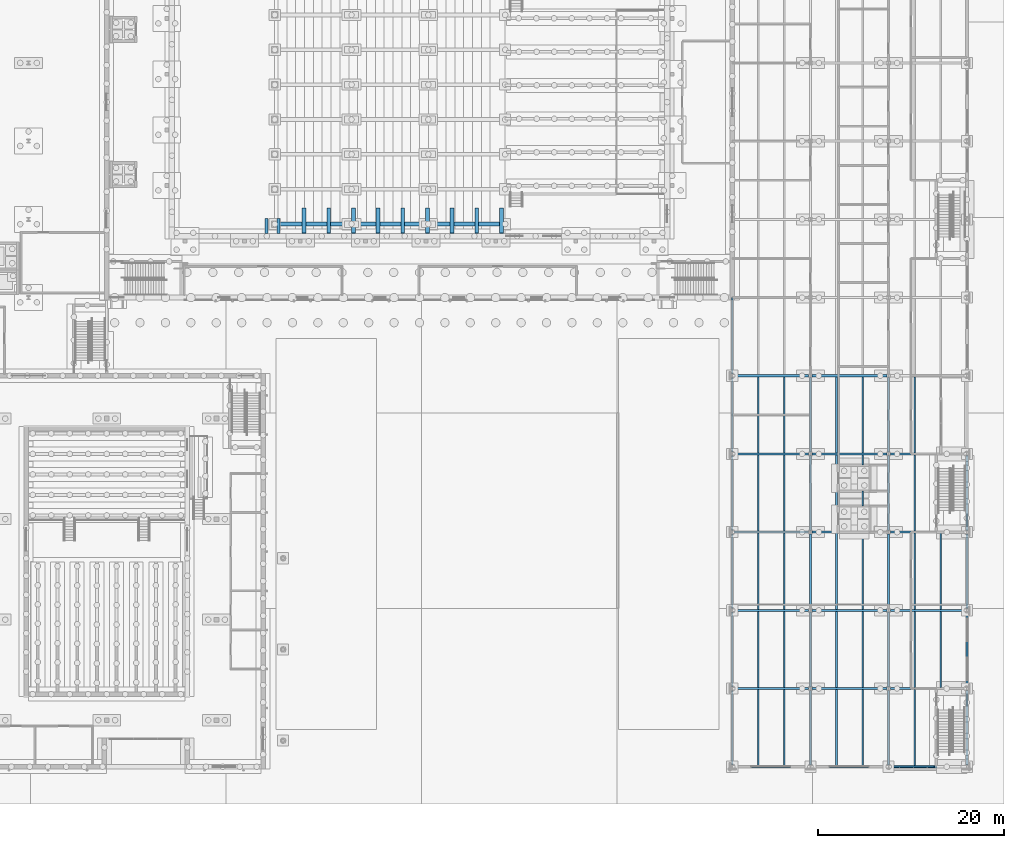
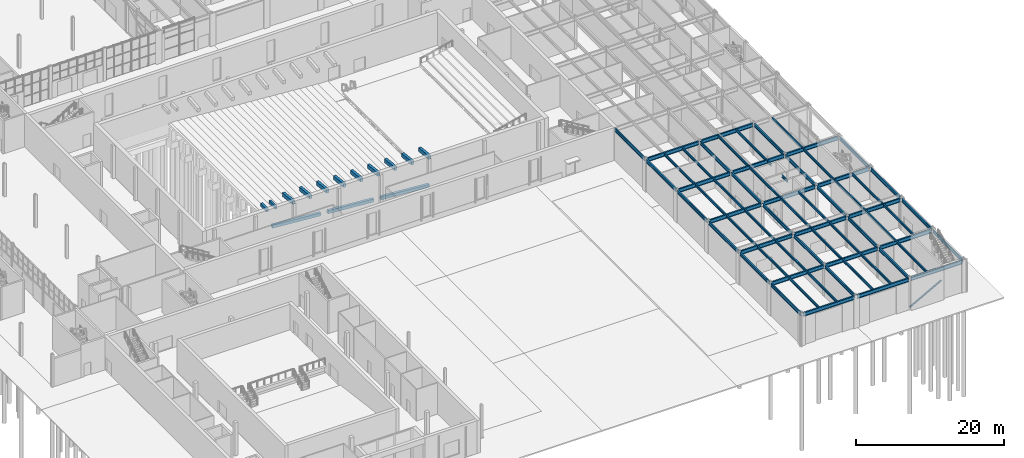
# One storey, part 33 of 127: 79 beams, 1 member.
"""IFC4 building model written with IfcOpenShell, lengths in metres."""

from ifc_helpers import new_model, si_unit, direction, frame, origin, origin_2d, place, context, subcontext, project, spatial, rectangle, hollow_rectangle, i_section, extrude, material, material_profile, profile_set, type_object, element, save


model = new_model("IFC4")

# Units and contexts
model_context = context("Model", 3, precision=1e-05, world=origin(), true_north=direction((0.0, 1.0)))
body_context = subcontext(model_context, "Body", "Model", "MODEL_VIEW")
ifc_project = project(units=[si_unit("LENGTHUNIT", "METRE"), si_unit("AREAUNIT", "SQUARE_METRE"), si_unit("VOLUMEUNIT", "CUBIC_METRE"), si_unit("PLANEANGLEUNIT", "RADIAN"), si_unit("MASSUNIT", "GRAM", prefix="KILO")], contexts=[model_context])

# Site, building, storey
site_placement = place(None, origin())
site = spatial("IfcSite", under=ifc_project, at=site_placement, CompositionType="ELEMENT")
building_placement = place(site_placement, origin())
building = spatial("IfcBuilding", under=site, at=building_placement, Name="Ljudholm Concert House", CompositionType="ELEMENT")
storey_placement = place(building_placement, origin())
storey = spatial("IfcBuildingStorey", under=building, at=storey_placement, Name="L00", CompositionType="ELEMENT", Elevation=0.0)

# Beams
ifc_material_1 = material(Name="Concrete 6,500 psi", Category="concrete")
ifc_material_profile_1 = material_profile(ifc_material_1, rectangle(XDim=0.300048828125, YDim=0.5, at=origin_2d()), Name="RC BEAM 300x500 BEAM")
ifc_profile_set_1 = profile_set([ifc_material_profile_1], Name="Concrete 6,500 psi")
beam_type_1 = type_object("IfcBeamType", Name="RC BEAM 300x500 BEAM", PredefinedType="BEAM", material=ifc_profile_set_1)
for number, where, z_axis, x_axis, name in (
    (1, (46.35009765625, 61.300048828125, 4.89990234375), (0.0, 1.0, 0.0), (-1.0, 0.0, 0.0), "Landing bracket beam"),
    (2, (47.64990234375, 61.300048828125, 4.89990234375), (0.0, 1.0, 0.0), (-1.0, 0.0, 0.0), "Landing bracket beam"),
):
    element("IfcBeam", number, at=place(storey_placement, frame(where, z_axis=z_axis, x_axis=x_axis)), inside=storey, type_object=beam_type_1, Name=name, PredefinedType="BEAM", context=body_context, shape_type="SweptSolid", body=[
        extrude(rectangle(XDim=0.300048828125, YDim=0.5, at=origin_2d()), origin(), (0.0, 0.0, 1.0), 1.599853515625),
    ])
ifc_material_2 = material(Name="Concrete 6,500 psi", Category="concrete")
ifc_material_profile_2 = material_profile(ifc_material_2, rectangle(XDim=0.39990234375, YDim=0.5, at=origin_2d()), Name="RC BEAM 400x500 BEAM")
ifc_profile_set_2 = profile_set([ifc_material_profile_2], Name="Concrete 6,500 psi")
beam_type_2 = type_object("IfcBeamType", Name="RC BEAM 400x500 BEAM", PredefinedType="BEAM", material=ifc_profile_set_2)
beam_1_placement = place(storey_placement, frame((47.60009765625, 62.300048828125, 1.25), z_axis=(0.997116400564, 0.0, -0.075887309392), x_axis=(0.0, 1.0, 0.0)))
element("IfcBeam", 3, at=beam_1_placement, inside=storey, type_object=beam_type_2, Name="Ground beam", PredefinedType="BEAM", context=body_context, shape_type="SweptSolid", body=[
    extrude(rectangle(XDim=0.39990234375, YDim=0.5, at=origin_2d()), origin(), (0.0, 0.0, 1.0), 7.521728515625),
])
beam_2_placement = place(storey_placement, frame((56.25, 62.300048828125, 0.620849609375), z_axis=(0.997101690302, 0.0, -0.076080346977), x_axis=(0.0, 1.0, 0.0)))
element("IfcBeam", 4, at=beam_2_placement, inside=storey, type_object=beam_type_2, Name="Ground beam", PredefinedType="BEAM", context=body_context, shape_type="SweptSolid", body=[
    extrude(rectangle(XDim=0.39990234375, YDim=0.5, at=origin_2d()), origin(), (0.0, 0.0, 1.0), 7.120849609375),
])
beam_3_placement = place(storey_placement, frame((64.5, 62.300048828125, 0.02099609375), z_axis=(0.997113943984, 0.0, -0.075919580566), x_axis=(0.0, 1.0, 0.0)))
element("IfcBeam", 5, at=beam_3_placement, inside=storey, type_object=beam_type_2, Name="Ground beam", PredefinedType="BEAM", context=body_context, shape_type="SweptSolid", body=[
    extrude(rectangle(XDim=0.39990234375, YDim=0.5, at=origin_2d()), origin(), (0.0, 0.0, 1.0), 7.521728515625),
])
ifc_material_3 = material(Name="Concrete 6,500 psi", Category="concrete")
ifc_material_profile_3 = material_profile(ifc_material_3, rectangle(XDim=0.39990234375, YDim=0.60009765625, at=origin_2d()), Name="RC BEAM 400x600 BEAM")
ifc_profile_set_3 = profile_set([ifc_material_profile_3], Name="Concrete 6,500 psi")
beam_type_3 = type_object("IfcBeamType", Name="RC BEAM 400x600 BEAM", PredefinedType="BEAM", material=ifc_profile_set_3)
for number, where, z_axis, x_axis, name in (
    (6, (50.39990234375, 61.300048828125, 4.800048828125), (0.0, 0.993881542506, -0.110451253797), (-1.0, 0.0, 0.0), "Gallery bracket beam"),
    (7, (53.050048828125, 61.300048828125, 4.800048828125), (0.0, 0.993881542506, -0.110451253797), (-1.0, 0.0, 0.0), "Gallery bracket beam"),
    (8, (55.699951171875, 61.300048828125, 4.800048828125), (0.0, 0.993881542506, -0.110451253797), (-1.0, 0.0, 0.0), "Gallery bracket beam"),
    (9, (58.35009765625, 61.300048828125, 4.800048828125), (0.0, 0.993881542506, -0.110451253797), (-1.0, 0.0, 0.0), "Gallery bracket beam"),
    (10, (61.0, 61.300048828125, 4.800048828125), (0.0, 0.993881542506, -0.110451253797), (-1.0, 0.0, 0.0), "Gallery bracket beam"),
    (11, (63.64990234375, 61.300048828125, 4.800048828125), (0.0, 0.993881542506, -0.110451253797), (-1.0, 0.0, 0.0), "Gallery bracket beam"),
    (12, (66.300048828125, 61.300048828125, 4.800048828125), (0.0, 0.993881542506, -0.110451253797), (-1.0, 0.0, 0.0), "Gallery bracket beam"),
    (13, (68.949951171875, 61.300048828125, 4.800048828125), (0.0, 0.993881542506, -0.110451253797), (-1.0, 0.0, 0.0), "Gallery bracket beam"),
    (14, (71.60009765625, 61.300048828125, 4.800048828125), (0.0, 0.993881542506, -0.110451253797), (-1.0, 0.0, 0.0), "Gallery bracket beam"),
):
    element("IfcBeam", number, at=place(storey_placement, frame(where, z_axis=z_axis, x_axis=x_axis)), inside=storey, type_object=beam_type_3, Name=name, PredefinedType="BEAM", context=body_context, shape_type="SweptSolid", body=[
        extrude(rectangle(XDim=0.39990234375, YDim=0.60009765625, at=origin_2d()), origin(), (0.0, 0.0, 1.0), 2.716552734375),
    ])
ifc_material_4 = material(Name="Steel ASTM A992", Category="steel")
ifc_material_profile_4 = material_profile(ifc_material_4, i_section(OverallWidth=0.177734375, OverallDepth=0.406494140625, WebThickness=0.0078125, FlangeThickness=0.012939453125, FilletRadius=0.01025390625, at=origin_2d()), Name="W16X40")
ifc_profile_set_4 = profile_set([ifc_material_profile_4], Name="Steel ASTM A992")
beam_type_4 = type_object("IfcBeamType", Name="STEEL BEAM W16X40", PredefinedType="BEAM", material=ifc_profile_set_4)
for number, where, z_axis, x_axis, name in (
    (15, (99.199951171875, 4.114501953125, 5.016845703125), (0.0, 1.0, 0.0), (-1.0, 0.0, 0.0), "Beam BOH-L01-sb-99.2-4"),
    (16, (102.0, 4.114501953125, 5.016845703125), (0.0, 1.0, 0.0), (-1.0, 0.0, 0.0), "Beam BOH-L01-sb-102-4"),
    (17, (99.199951171875, 12.5146484375, 5.016845703125), (0.0, 1.0, 0.0), (-1.0, 0.0, 0.0), "Beam BOH-L01-sb-99.2-12.4"),
    (18, (102.0, 12.5146484375, 5.016845703125), (0.0, 1.0, 0.0), (-1.0, 0.0, 0.0), "Beam BOH-L01-sb-102-12.4"),
    (19, (99.199951171875, 20.91455078125, 5.016845703125), (0.0, 1.0, 0.0), (-1.0, 0.0, 0.0), "Beam BOH-L01-sb-99.2-20.8"),
    (20, (102.0, 20.91455078125, 5.016845703125), (0.0, 1.0, 0.0), (-1.0, 0.0, 0.0), "Beam BOH-L01-sb-102-20.8"),
    (21, (99.199951171875, 29.314453125, 5.016845703125), (0.0, 1.0, 0.0), (-1.0, 0.0, 0.0), "Beam BOH-L01-sb-99.2-29.2"),
    (22, (102.0, 29.314453125, 5.016845703125), (0.0, 1.0, 0.0), (-1.0, 0.0, 0.0), "Beam BOH-L01-sb-102-29.2"),
    (23, (99.199951171875, 37.714599609375, 5.016845703125), (0.0, 1.0, 0.0), (-1.0, 0.0, 0.0), "Beam BOH-L01-sb-99.2-37.6"),
    (24, (102.0, 37.714599609375, 5.016845703125), (0.0, 1.0, 0.0), (-1.0, 0.0, 0.0), "Beam BOH-L01-sb-102-37.6"),
    (25, (107.60009765625, 4.114501953125, 5.016845703125), (0.0, 1.0, 0.0), (-1.0, 0.0, 0.0), "Beam BOH-L01-sb-107.6-4"),
    (26, (110.39990234375, 4.114501953125, 5.016845703125), (0.0, 1.0, 0.0), (-1.0, 0.0, 0.0), "Beam BOH-L01-sb-110.4-4"),
    (27, (107.60009765625, 12.5146484375, 5.016845703125), (0.0, 1.0, 0.0), (-1.0, 0.0, 0.0), "Beam BOH-L01-sb-107.6-12.4"),
    (28, (110.39990234375, 12.5146484375, 5.016845703125), (0.0, 1.0, 0.0), (-1.0, 0.0, 0.0), "Beam BOH-L01-sb-110.4-12.4"),
    (29, (107.60009765625, 20.91455078125, 5.016845703125), (0.0, 1.0, 0.0), (-1.0, 0.0, 0.0), "Beam BOH-L01-sb-107.6-20.8"),
    (30, (110.39990234375, 20.91455078125, 5.016845703125), (0.0, 1.0, 0.0), (-1.0, 0.0, 0.0), "Beam BOH-L01-sb-110.4-20.8"),
    (31, (107.60009765625, 29.314453125, 5.016845703125), (0.0, 1.0, 0.0), (-1.0, 0.0, 0.0), "Beam BOH-L01-sb-107.6-29.2"),
):
    element("IfcBeam", number, at=place(storey_placement, frame(where, z_axis=z_axis, x_axis=x_axis)), inside=storey, type_object=beam_type_4, Name=name, PredefinedType="BEAM", context=body_context, shape_type="SweptSolid", body=[
        extrude(i_section(OverallWidth=0.177734375, OverallDepth=0.406494140625, WebThickness=0.0078125, FlangeThickness=0.012939453125, FilletRadius=0.01025390625, at=origin_2d()), origin(), (0.0, 0.0, 1.0), 8.1708984375),
    ])
beam_4_placement = place(storey_placement, frame((110.39990234375, 32.0, 5.016845703125), z_axis=(0.0, 1.0, 0.0), x_axis=(-1.0, 0.0, 0.0)))
element("IfcBeam", 32, at=beam_4_placement, inside=storey, type_object=beam_type_4, Name="Beam BOH-L01-sb-110.4-29.2-1", PredefinedType="BEAM", context=body_context, shape_type="SweptSolid", body=[
    extrude(i_section(OverallWidth=0.177734375, OverallDepth=0.406494140625, WebThickness=0.0078125, FlangeThickness=0.012939453125, FilletRadius=0.01025390625, at=origin_2d()), origin(), (0.0, 0.0, 1.0), 1.60009765625),
])
beam_5_placement = place(storey_placement, frame((110.39990234375, 36.39990234375, 5.016845703125), z_axis=(0.0, 1.0, 0.0), x_axis=(-1.0, 0.0, 0.0)))
element("IfcBeam", 33, at=beam_5_placement, inside=storey, type_object=beam_type_4, Name="Beam BOH-L01-sb-110.4-29.2-2", PredefinedType="BEAM", context=body_context, shape_type="SweptSolid", body=[
    extrude(i_section(OverallWidth=0.177734375, OverallDepth=0.406494140625, WebThickness=0.0078125, FlangeThickness=0.012939453125, FilletRadius=0.01025390625, at=origin_2d()), origin(), (0.0, 0.0, 1.0), 1.08544921875),
])
for number, where, z_axis, x_axis, name in (
    (34, (107.60009765625, 37.714599609375, 5.016845703125), (0.0, 1.0, 0.0), (-1.0, 0.0, 0.0), "Beam BOH-L01-sb-107.6-37.6"),
    (35, (110.39990234375, 37.714599609375, 5.016845703125), (0.0, 1.0, 0.0), (-1.0, 0.0, 0.0), "Beam BOH-L01-sb-110.4-37.6"),
    (36, (116.0, 4.114501953125, 5.016845703125), (0.0, 1.0, 0.0), (-1.0, 0.0, 0.0), "Beam BOH-L01-sb-116-4"),
    (37, (116.0, 12.5146484375, 5.016845703125), (0.0, 1.0, 0.0), (-1.0, 0.0, 0.0), "Beam BOH-L01-sb-116-12.4"),
    (38, (118.800048828125, 12.5146484375, 5.016845703125), (0.0, 1.0, 0.0), (-1.0, 0.0, 0.0), "Beam BOH-L01-sb-118.8-12.4"),
    (39, (116.0, 20.91455078125, 5.016845703125), (0.0, 1.0, 0.0), (-1.0, 0.0, 0.0), "Beam BOH-L01-sb-116-20.8"),
    (40, (118.800048828125, 20.91455078125, 5.016845703125), (0.0, 1.0, 0.0), (-1.0, 0.0, 0.0), "Beam BOH-L01-sb-118.8-20.8"),
    (41, (116.0, 29.314453125, 5.016845703125), (0.0, 1.0, 0.0), (-1.0, 0.0, 0.0), "Beam BOH-L01-sb-116-29.2"),
    (42, (116.0, 37.714599609375, 5.016845703125), (0.0, 1.0, 0.0), (-1.0, 0.0, 0.0), "Beam BOH-L01-sb-116-37.6"),
):
    element("IfcBeam", number, at=place(storey_placement, frame(where, z_axis=z_axis, x_axis=x_axis)), inside=storey, type_object=beam_type_4, Name=name, PredefinedType="BEAM", context=body_context, shape_type="SweptSolid", body=[
        extrude(i_section(OverallWidth=0.177734375, OverallDepth=0.406494140625, WebThickness=0.0078125, FlangeThickness=0.012939453125, FilletRadius=0.01025390625, at=origin_2d()), origin(), (0.0, 0.0, 1.0), 8.1708984375),
    ])
ifc_material_5 = material(Name="Steel ASTM A992", Category="steel")
ifc_material_profile_5 = material_profile(ifc_material_5, i_section(OverallWidth=0.209228515625, OverallDepth=0.533447265625, WebThickness=0.01025390625, FlangeThickness=0.015625, FilletRadius=0.012939453125, at=origin_2d()), Name="W21X62")
ifc_profile_set_5 = profile_set([ifc_material_profile_5], Name="Steel ASTM A992")
beam_type_5 = type_object("IfcBeamType", Name="STEEL BEAM W21X62", PredefinedType="BEAM", material=ifc_profile_set_5)
for number, where, z_axis, x_axis, name in (
    (43, (96.39990234375, 4.186767578125, 4.953369140625), (0.0, 1.0, 0.0), (-1.0, 0.0, 0.0), "Beam BOH-L01-gy-96.4-4"),
    (44, (96.39990234375, 12.586669921875, 4.953369140625), (0.0, 1.0, 0.0), (-1.0, 0.0, 0.0), "Beam BOH-L01-gy-96.4-12.4"),
):
    element("IfcBeam", number, at=place(storey_placement, frame(where, z_axis=z_axis, x_axis=x_axis)), inside=storey, type_object=beam_type_5, Name=name, PredefinedType="BEAM", context=body_context, shape_type="SweptSolid", body=[
        extrude(i_section(OverallWidth=0.209228515625, OverallDepth=0.533447265625, WebThickness=0.01025390625, FlangeThickness=0.015625, FilletRadius=0.012939453125, at=origin_2d()), origin(), (0.0, 0.0, 1.0), 8.026611328125),
    ])
beam_6_placement = place(storey_placement, frame((96.39990234375, 20.986572265625, 4.953369140625), z_axis=(0.0, 1.0, 0.0), x_axis=(-1.0, 0.0, 0.0)))
element("IfcBeam", 45, at=beam_6_placement, inside=storey, type_object=beam_type_5, Name="Beam BOH-L01-gy-96.4-20.8", PredefinedType="BEAM", context=body_context, shape_type="SweptSolid", body=[
    extrude(i_section(OverallWidth=0.209228515625, OverallDepth=0.533447265625, WebThickness=0.01025390625, FlangeThickness=0.015625, FilletRadius=0.012939453125, at=origin_2d()), origin(), (0.0, 0.0, 1.0), 8.02685546875),
])
for number, where, z_axis, x_axis, name in (
    (46, (96.39990234375, 29.38671875, 4.953369140625), (0.0, 1.0, 0.0), (-1.0, 0.0, 0.0), "Beam BOH-L01-gy-96.4-29.2"),
    (47, (96.39990234375, 37.78662109375, 4.953369140625), (0.0, 1.0, 0.0), (-1.0, 0.0, 0.0), "Beam BOH-L01-gy-96.4-37.6"),
):
    element("IfcBeam", number, at=place(storey_placement, frame(where, z_axis=z_axis, x_axis=x_axis)), inside=storey, type_object=beam_type_5, Name=name, PredefinedType="BEAM", context=body_context, shape_type="SweptSolid", body=[
        extrude(i_section(OverallWidth=0.209228515625, OverallDepth=0.533447265625, WebThickness=0.01025390625, FlangeThickness=0.015625, FilletRadius=0.012939453125, at=origin_2d()), origin(), (0.0, 0.0, 1.0), 8.026611328125),
    ])
beam_7_placement = place(storey_placement, frame((96.39990234375, 46.186767578125, 4.953369140625), z_axis=(0.0, 1.0, 0.0), x_axis=(-1.0, 0.0, 0.0)))
element("IfcBeam", 48, at=beam_7_placement, inside=storey, type_object=beam_type_5, Name="Beam BOH-L01-gy-96.4-46", PredefinedType="BEAM", context=body_context, shape_type="SweptSolid", body=[
    extrude(i_section(OverallWidth=0.209228515625, OverallDepth=0.533447265625, WebThickness=0.01025390625, FlangeThickness=0.015625, FilletRadius=0.012939453125, at=origin_2d()), origin(), (0.0, 0.0, 1.0), 8.213134765625),
])
for number, where, z_axis, x_axis, name in (
    (49, (104.800048828125, 4.186767578125, 4.953369140625), (0.0, 1.0, 0.0), (-1.0, 0.0, 0.0), "Beam BOH-L01-gy-104.8-4"),
    (50, (104.800048828125, 12.586669921875, 4.953369140625), (0.0, 1.0, 0.0), (-1.0, 0.0, 0.0), "Beam BOH-L01-gy-104.8-12.4"),
):
    element("IfcBeam", number, at=place(storey_placement, frame(where, z_axis=z_axis, x_axis=x_axis)), inside=storey, type_object=beam_type_5, Name=name, PredefinedType="BEAM", context=body_context, shape_type="SweptSolid", body=[
        extrude(i_section(OverallWidth=0.209228515625, OverallDepth=0.533447265625, WebThickness=0.01025390625, FlangeThickness=0.015625, FilletRadius=0.012939453125, at=origin_2d()), origin(), (0.0, 0.0, 1.0), 8.026611328125),
    ])
beam_8_placement = place(storey_placement, frame((104.800048828125, 20.986572265625, 4.953369140625), z_axis=(0.0, 1.0, 0.0), x_axis=(-1.0, 0.0, 0.0)))
element("IfcBeam", 51, at=beam_8_placement, inside=storey, type_object=beam_type_5, Name="Beam BOH-L01-gy-104.8-20.8", PredefinedType="BEAM", context=body_context, shape_type="SweptSolid", body=[
    extrude(i_section(OverallWidth=0.209228515625, OverallDepth=0.533447265625, WebThickness=0.01025390625, FlangeThickness=0.015625, FilletRadius=0.012939453125, at=origin_2d()), origin(), (0.0, 0.0, 1.0), 8.02685546875),
])
for number, where, z_axis, x_axis, name in (
    (52, (104.800048828125, 29.38671875, 4.953369140625), (0.0, 1.0, 0.0), (-1.0, 0.0, 0.0), "Beam BOH-L01-gy-104.8-29.2"),
    (53, (104.800048828125, 37.78662109375, 4.953369140625), (0.0, 1.0, 0.0), (-1.0, 0.0, 0.0), "Beam BOH-L01-gy-104.8-37.6"),
    (54, (113.199951171875, 4.186767578125, 4.953369140625), (0.0, 1.0, 0.0), (-1.0, 0.0, 0.0), "Beam BOH-L01-gy-113.2-4"),
    (55, (113.199951171875, 12.586669921875, 4.953369140625), (0.0, 1.0, 0.0), (-1.0, 0.0, 0.0), "Beam BOH-L01-gy-113.2-12.4"),
):
    element("IfcBeam", number, at=place(storey_placement, frame(where, z_axis=z_axis, x_axis=x_axis)), inside=storey, type_object=beam_type_5, Name=name, PredefinedType="BEAM", context=body_context, shape_type="SweptSolid", body=[
        extrude(i_section(OverallWidth=0.209228515625, OverallDepth=0.533447265625, WebThickness=0.01025390625, FlangeThickness=0.015625, FilletRadius=0.012939453125, at=origin_2d()), origin(), (0.0, 0.0, 1.0), 8.026611328125),
    ])
beam_9_placement = place(storey_placement, frame((113.199951171875, 20.986572265625, 4.953369140625), z_axis=(0.0, 1.0, 0.0), x_axis=(-1.0, 0.0, 0.0)))
element("IfcBeam", 56, at=beam_9_placement, inside=storey, type_object=beam_type_5, Name="Beam BOH-L01-gy-113.2-20.8", PredefinedType="BEAM", context=body_context, shape_type="SweptSolid", body=[
    extrude(i_section(OverallWidth=0.209228515625, OverallDepth=0.533447265625, WebThickness=0.01025390625, FlangeThickness=0.015625, FilletRadius=0.012939453125, at=origin_2d()), origin(), (0.0, 0.0, 1.0), 8.02685546875),
])
for number, where, z_axis, x_axis, name in (
    (57, (113.199951171875, 29.38671875, 4.953369140625), (0.0, 1.0, 0.0), (-1.0, 0.0, 0.0), "Beam BOH-L01-gy-113.2-29.2"),
    (58, (113.199951171875, 37.78662109375, 4.953369140625), (0.0, 1.0, 0.0), (-1.0, 0.0, 0.0), "Beam BOH-L01-gy-113.2-37.6"),
    (59, (121.60009765625, 4.186767578125, 4.953369140625), (0.0, 1.0, 0.0), (-1.0, 0.0, 0.0), "Beam BOH-L01-gy-121.6-4"),
    (60, (121.60009765625, 12.586669921875, 4.953369140625), (0.0, 1.0, 0.0), (-1.0, 0.0, 0.0), "Beam BOH-L01-gy-121.6-12.4"),
):
    element("IfcBeam", number, at=place(storey_placement, frame(where, z_axis=z_axis, x_axis=x_axis)), inside=storey, type_object=beam_type_5, Name=name, PredefinedType="BEAM", context=body_context, shape_type="SweptSolid", body=[
        extrude(i_section(OverallWidth=0.209228515625, OverallDepth=0.533447265625, WebThickness=0.01025390625, FlangeThickness=0.015625, FilletRadius=0.012939453125, at=origin_2d()), origin(), (0.0, 0.0, 1.0), 8.026611328125),
    ])
beam_10_placement = place(storey_placement, frame((121.60009765625, 20.986572265625, 4.953369140625), z_axis=(0.0, 1.0, 0.0), x_axis=(-1.0, 0.0, 0.0)))
element("IfcBeam", 61, at=beam_10_placement, inside=storey, type_object=beam_type_5, Name="Beam BOH-L01-gy-121.6-20.8", PredefinedType="BEAM", context=body_context, shape_type="SweptSolid", body=[
    extrude(i_section(OverallWidth=0.209228515625, OverallDepth=0.533447265625, WebThickness=0.01025390625, FlangeThickness=0.015625, FilletRadius=0.012939453125, at=origin_2d()), origin(), (0.0, 0.0, 1.0), 8.02685546875),
])
beam_11_placement = place(storey_placement, frame((121.60009765625, 29.38671875, 4.953369140625), z_axis=(0.0, 1.0, 0.0), x_axis=(-1.0, 0.0, 0.0)))
element("IfcBeam", 62, at=beam_11_placement, inside=storey, type_object=beam_type_5, Name="Beam BOH-L01-gy-121.6-29.2", PredefinedType="BEAM", context=body_context, shape_type="SweptSolid", body=[
    extrude(i_section(OverallWidth=0.209228515625, OverallDepth=0.533447265625, WebThickness=0.01025390625, FlangeThickness=0.015625, FilletRadius=0.012939453125, at=origin_2d()), origin(), (0.0, 0.0, 1.0), 8.026611328125),
])
ifc_material_6 = material(Name="Steel ASTM A992", Category="steel")
ifc_material_profile_6 = material_profile(ifc_material_6, i_section(OverallWidth=0.22900390625, OverallDepth=0.612060546875, WebThickness=0.011962890625, FlangeThickness=0.01953125, FilletRadius=0.0126953125, at=origin_2d()), Name="W24X84")
ifc_profile_set_6 = profile_set([ifc_material_profile_6], Name="Steel ASTM A992")
beam_type_6 = type_object("IfcBeamType", Name="STEEL BEAM W24X84", PredefinedType="BEAM", material=ifc_profile_set_6)
beam_12_placement = place(storey_placement, frame((96.586669921875, 4.0, 4.913818359375), z_axis=(1.0, 0.0, 0.0), x_axis=(0.0, 1.0, 0.0)))
element("IfcBeam", 63, at=beam_12_placement, inside=storey, type_object=beam_type_6, Name="Beam BOH-L01-gx-96.4-4", PredefinedType="BEAM", context=body_context, shape_type="SweptSolid", body=[
    extrude(i_section(OverallWidth=0.22900390625, OverallDepth=0.612060546875, WebThickness=0.011962890625, FlangeThickness=0.01953125, FilletRadius=0.0126953125, at=origin_2d()), origin(), (0.0, 0.0, 1.0), 8.026611328125),
])
beam_13_placement = place(storey_placement, frame((104.986572265625, 4.0, 4.913818359375), z_axis=(1.0, 0.0, 0.0), x_axis=(0.0, 1.0, 0.0)))
element("IfcBeam", 64, at=beam_13_placement, inside=storey, type_object=beam_type_6, Name="Beam BOH-L01-gx-104.8-4", PredefinedType="BEAM", context=body_context, shape_type="SweptSolid", body=[
    extrude(i_section(OverallWidth=0.22900390625, OverallDepth=0.612060546875, WebThickness=0.011962890625, FlangeThickness=0.01953125, FilletRadius=0.0126953125, at=origin_2d()), origin(), (0.0, 0.0, 1.0), 8.02685546875),
])
for number, where, z_axis, x_axis, name in (
    (65, (113.38671875, 4.0, 4.913818359375), (1.0, 0.0, 0.0), (0.0, 1.0, 0.0), "Beam BOH-L01-gx-113.2-4"),
    (66, (96.586669921875, 12.39990234375, 4.913818359375), (1.0, 0.0, 0.0), (0.0, 1.0, 0.0), "Beam BOH-L01-gx-96.4-12.4"),
):
    element("IfcBeam", number, at=place(storey_placement, frame(where, z_axis=z_axis, x_axis=x_axis)), inside=storey, type_object=beam_type_6, Name=name, PredefinedType="BEAM", context=body_context, shape_type="SweptSolid", body=[
        extrude(i_section(OverallWidth=0.22900390625, OverallDepth=0.612060546875, WebThickness=0.011962890625, FlangeThickness=0.01953125, FilletRadius=0.0126953125, at=origin_2d()), origin(), (0.0, 0.0, 1.0), 8.026611328125),
    ])
beam_14_placement = place(storey_placement, frame((104.986572265625, 12.39990234375, 4.913818359375), z_axis=(1.0, 0.0, 0.0), x_axis=(0.0, 1.0, 0.0)))
element("IfcBeam", 67, at=beam_14_placement, inside=storey, type_object=beam_type_6, Name="Beam BOH-L01-gx-104.8-12.4", PredefinedType="BEAM", context=body_context, shape_type="SweptSolid", body=[
    extrude(i_section(OverallWidth=0.22900390625, OverallDepth=0.612060546875, WebThickness=0.011962890625, FlangeThickness=0.01953125, FilletRadius=0.0126953125, at=origin_2d()), origin(), (0.0, 0.0, 1.0), 8.02685546875),
])
for number, where, z_axis, x_axis, name in (
    (68, (113.38671875, 12.39990234375, 4.913818359375), (1.0, 0.0, 0.0), (0.0, 1.0, 0.0), "Beam BOH-L01-gx-113.2-12.4"),
    (69, (96.586669921875, 20.800048828125, 4.913818359375), (1.0, 0.0, 0.0), (0.0, 1.0, 0.0), "Beam BOH-L01-gx-96.4-20.8"),
):
    element("IfcBeam", number, at=place(storey_placement, frame(where, z_axis=z_axis, x_axis=x_axis)), inside=storey, type_object=beam_type_6, Name=name, PredefinedType="BEAM", context=body_context, shape_type="SweptSolid", body=[
        extrude(i_section(OverallWidth=0.22900390625, OverallDepth=0.612060546875, WebThickness=0.011962890625, FlangeThickness=0.01953125, FilletRadius=0.0126953125, at=origin_2d()), origin(), (0.0, 0.0, 1.0), 8.026611328125),
    ])
beam_15_placement = place(storey_placement, frame((104.986572265625, 20.800048828125, 4.913818359375), z_axis=(1.0, 0.0, 0.0), x_axis=(0.0, 1.0, 0.0)))
element("IfcBeam", 70, at=beam_15_placement, inside=storey, type_object=beam_type_6, Name="Beam BOH-L01-gx-104.8-20.8", PredefinedType="BEAM", context=body_context, shape_type="SweptSolid", body=[
    extrude(i_section(OverallWidth=0.22900390625, OverallDepth=0.612060546875, WebThickness=0.011962890625, FlangeThickness=0.01953125, FilletRadius=0.0126953125, at=origin_2d()), origin(), (0.0, 0.0, 1.0), 8.02685546875),
])
for number, where, z_axis, x_axis, name in (
    (71, (113.38671875, 20.800048828125, 4.913818359375), (1.0, 0.0, 0.0), (0.0, 1.0, 0.0), "Beam BOH-L01-gx-113.2-20.8"),
    (72, (96.586669921875, 29.199951171875, 4.913818359375), (1.0, 0.0, 0.0), (0.0, 1.0, 0.0), "Beam BOH-L01-gx-96.4-29.2"),
):
    element("IfcBeam", number, at=place(storey_placement, frame(where, z_axis=z_axis, x_axis=x_axis)), inside=storey, type_object=beam_type_6, Name=name, PredefinedType="BEAM", context=body_context, shape_type="SweptSolid", body=[
        extrude(i_section(OverallWidth=0.22900390625, OverallDepth=0.612060546875, WebThickness=0.011962890625, FlangeThickness=0.01953125, FilletRadius=0.0126953125, at=origin_2d()), origin(), (0.0, 0.0, 1.0), 8.026611328125),
    ])
beam_16_placement = place(storey_placement, frame((104.986572265625, 29.199951171875, 4.913818359375), z_axis=(1.0, 0.0, 0.0), x_axis=(0.0, 1.0, 0.0)))
element("IfcBeam", 73, at=beam_16_placement, inside=storey, type_object=beam_type_6, Name="Beam BOH-L01-gx-104.8-29.2", PredefinedType="BEAM", context=body_context, shape_type="SweptSolid", body=[
    extrude(i_section(OverallWidth=0.22900390625, OverallDepth=0.612060546875, WebThickness=0.011962890625, FlangeThickness=0.01953125, FilletRadius=0.0126953125, at=origin_2d()), origin(), (0.0, 0.0, 1.0), 8.02685546875),
])
for number, where, z_axis, x_axis, name in (
    (74, (113.38671875, 29.199951171875, 4.913818359375), (1.0, 0.0, 0.0), (0.0, 1.0, 0.0), "Beam BOH-L01-gx-113.2-29.2"),
    (75, (96.586669921875, 37.60009765625, 4.913818359375), (1.0, 0.0, 0.0), (0.0, 1.0, 0.0), "Beam BOH-L01-gx-96.4-37.6"),
):
    element("IfcBeam", number, at=place(storey_placement, frame(where, z_axis=z_axis, x_axis=x_axis)), inside=storey, type_object=beam_type_6, Name=name, PredefinedType="BEAM", context=body_context, shape_type="SweptSolid", body=[
        extrude(i_section(OverallWidth=0.22900390625, OverallDepth=0.612060546875, WebThickness=0.011962890625, FlangeThickness=0.01953125, FilletRadius=0.0126953125, at=origin_2d()), origin(), (0.0, 0.0, 1.0), 8.026611328125),
    ])
beam_17_placement = place(storey_placement, frame((104.986572265625, 37.60009765625, 4.913818359375), z_axis=(1.0, 0.0, 0.0), x_axis=(0.0, 1.0, 0.0)))
element("IfcBeam", 76, at=beam_17_placement, inside=storey, type_object=beam_type_6, Name="Beam BOH-L01-gx-104.8-37.6", PredefinedType="BEAM", context=body_context, shape_type="SweptSolid", body=[
    extrude(i_section(OverallWidth=0.22900390625, OverallDepth=0.612060546875, WebThickness=0.011962890625, FlangeThickness=0.01953125, FilletRadius=0.0126953125, at=origin_2d()), origin(), (0.0, 0.0, 1.0), 8.02685546875),
])
for number, where, z_axis, x_axis, name in (
    (77, (113.38671875, 37.60009765625, 4.913818359375), (1.0, 0.0, 0.0), (0.0, 1.0, 0.0), "Beam BOH-L01-gx-113.2-37.6"),
    (78, (96.586669921875, 46.0, 4.913818359375), (1.0, 0.0, 0.0), (0.0, 1.0, 0.0), "Beam BOH-L01-gx-96.4-46"),
):
    element("IfcBeam", number, at=place(storey_placement, frame(where, z_axis=z_axis, x_axis=x_axis)), inside=storey, type_object=beam_type_6, Name=name, PredefinedType="BEAM", context=body_context, shape_type="SweptSolid", body=[
        extrude(i_section(OverallWidth=0.22900390625, OverallDepth=0.612060546875, WebThickness=0.011962890625, FlangeThickness=0.01953125, FilletRadius=0.0126953125, at=origin_2d()), origin(), (0.0, 0.0, 1.0), 8.026611328125),
    ])
beam_18_placement = place(storey_placement, frame((104.986572265625, 46.0, 4.913818359375), z_axis=(1.0, 0.0, 0.0), x_axis=(0.0, 1.0, 0.0)))
element("IfcBeam", 79, at=beam_18_placement, inside=storey, type_object=beam_type_6, Name="Beam BOH-L01-gx-104.8-46", PredefinedType="BEAM", context=body_context, shape_type="SweptSolid", body=[
    extrude(i_section(OverallWidth=0.22900390625, OverallDepth=0.612060546875, WebThickness=0.011962890625, FlangeThickness=0.01953125, FilletRadius=0.0126953125, at=origin_2d()), origin(), (0.0, 0.0, 1.0), 8.02685546875),
])

# Member
ifc_material_7 = material(Name="Steel ASTM A500 Gr. C", Category="steel")
ifc_material_profile_7 = material_profile(ifc_material_7, hollow_rectangle(XDim=0.203125, YDim=0.203125, WallThickness=0.01171875, InnerFilletRadius=0.005859375, OuterFilletRadius=0.017822265625, at=origin_2d()), Name="HSS8X8X1/2")
ifc_profile_set_7 = profile_set([ifc_material_profile_7], Name="Steel ASTM A500 Gr. C")
member_type = type_object("IfcMemberType", Name="STEEL MEMBER HSS8X8X1/2 BRACE", PredefinedType="BRACE", material=ifc_profile_set_7)
member_placement = place(storey_placement, frame((113.199951171875, 4.0, 0.300048828125), z_axis=(0.876220484412, 0.0, 0.48191043016), x_axis=(0.0, 1.0, 0.0)))
element("IfcMember", 80, at=member_placement, inside=storey, type_object=member_type, Name="Brace", PredefinedType="BRACE", context=body_context, shape_type="SweptSolid", body=[
    extrude(hollow_rectangle(XDim=0.203125, YDim=0.203125, WallThickness=0.01171875, InnerFilletRadius=0.005859375, OuterFilletRadius=0.017822265625, at=origin_2d()), origin(), (0.0, 0.0, 1.0), 5.632568359375),
])

save(model, "model.ifc")
